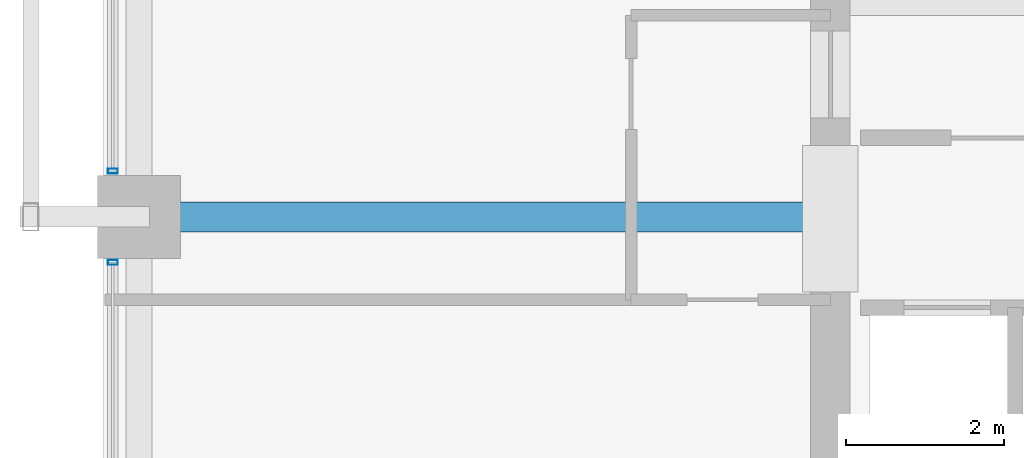
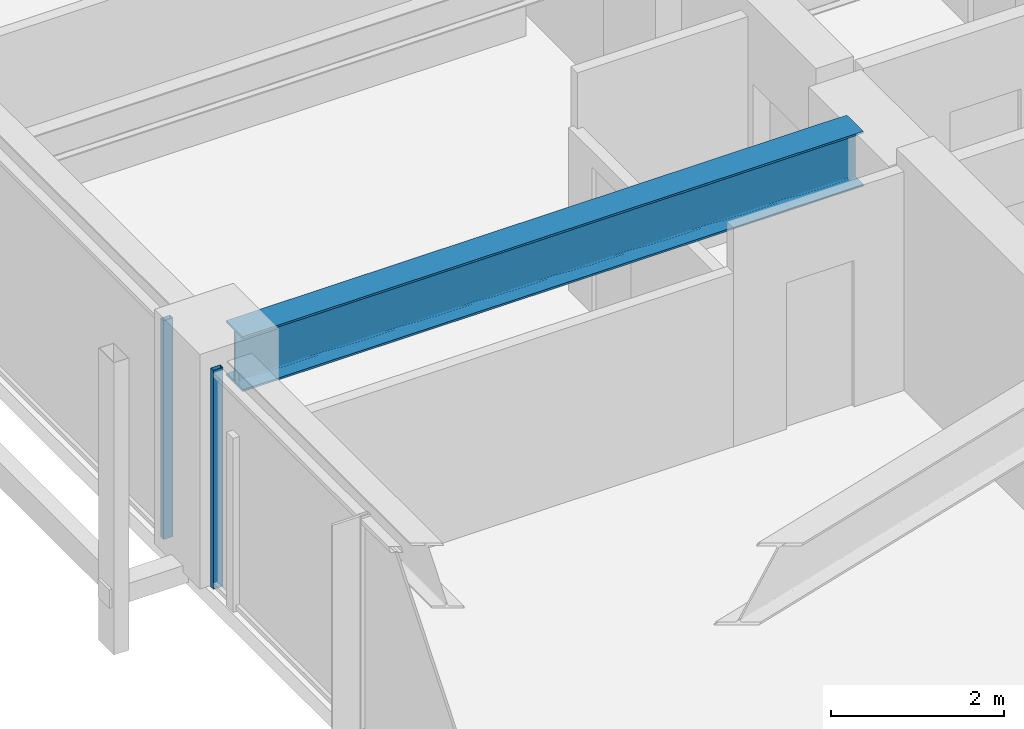
# One storey, part 8 of 34: 2 members, 1 beam, 2 elements without a shape of their own.
"""IFC4 building model written with IfcOpenShell, lengths in metres."""

from ifc_helpers import new_model, si_unit, direction, frame, origin, origin_2d, place, context, subcontext, project, spatial, hollow_rectangle, i_section, extrude, material, material_profile, profile_set, type_object, element, aggregate, save


model = new_model("IFC4")

# Units and contexts
model_context = context("Model", 3, precision=1e-05, world=origin(), true_north=direction((0.0, 1.0)))
body_context = subcontext(model_context, "Body", "Model", "MODEL_VIEW")
ifc_project = project(units=[si_unit("LENGTHUNIT", "METRE"), si_unit("AREAUNIT", "SQUARE_METRE"), si_unit("VOLUMEUNIT", "CUBIC_METRE"), si_unit("PLANEANGLEUNIT", "RADIAN"), si_unit("MASSUNIT", "GRAM", prefix="KILO")], contexts=[model_context])

# Site, building, storey
site_placement = place(None, origin())
site = spatial("IfcSite", under=ifc_project, at=site_placement, CompositionType="ELEMENT")
building_placement = place(site_placement, origin())
building = spatial("IfcBuilding", under=site, at=building_placement, Name="Kolvaren Belvedere", CompositionType="ELEMENT")
storey_placement = place(building_placement, frame((0.0, 0.0, 111.800048828125)))
storey = spatial("IfcBuildingStorey", under=building, at=storey_placement, Name="L32", CompositionType="ELEMENT", Elevation=111.800048828125)

# Beam
ifc_material_1 = material(Name="Structural steel ASTM A992 Grade 50", Category="steel")
ifc_material_profile_1 = material_profile(ifc_material_1, i_section(OverallWidth=0.381103515625, OverallDepth=0.77294921875, WebThickness=0.0166015625, FlangeThickness=0.027099609375, FilletRadius=0.02392578125, at=origin_2d()), Name="W30X173")
ifc_profile_set_1 = profile_set([ifc_material_profile_1], Name="Structural steel ASTM A992 Grade 50")
beam_type = type_object("IfcBeamType", Name="BM-GIRD-W30X173", PredefinedType="BEAM", material=ifc_profile_set_1)
beam_placement = place(storey_placement, frame((-10.14990234375, -4.60009765625, 2.693359375), z_axis=(-1.0, 0.0, 0.0), x_axis=(0.0, -1.0, 0.0)))
element("IfcBeam", 1, at=beam_placement, inside=storey, type_object=beam_type, Name="L32 West Radial Girder M", PredefinedType="BEAM", context=body_context, shape_type="SweptSolid", body=[
    extrude(i_section(OverallWidth=0.381103515625, OverallDepth=0.77294921875, WebThickness=0.0166015625, FlangeThickness=0.027099609375, FilletRadius=0.02392578125, at=origin_2d()), origin(), (0.0, 0.0, 1.0), 8.263916015625),
])

# Curtain wall, member
ifc_material_2 = material(Name="Anodised pale-metal aluminium AA 6063-T6", Category="aluminium")
curtain_wall_type = type_object("IfcCurtainWallType", Name="CW-Z3-WAIST", PredefinedType="NOTDEFINED", material=ifc_material_2)
curtain_wall_1_placement = place(storey_placement, origin())
curtain_wall_1 = element("IfcCurtainWall", 2, at=curtain_wall_1_placement, inside=storey, type_object=curtain_wall_type, Name="L32 Unitised Curtain Wall FCW-L32-W-B1", PredefinedType="NOTDEFINED")
ifc_material_3 = material(Name="Anodised pale-metal aluminium AA 6063-T6", Category="aluminium")
ifc_material_profile_2 = material_profile(ifc_material_3, hollow_rectangle(XDim=0.06494140625, YDim=0.1298828125, WallThickness=0.00390625, at=origin_2d()), Name="ALU-MUL-130X65")
ifc_profile_set_2 = profile_set([ifc_material_profile_2], Name="Anodised pale-metal aluminium AA 6063-T6")
member_type = type_object("IfcMemberType", Name="CW-MUL-130", PredefinedType="MULLION", material=ifc_profile_set_2)
member_1_placement = place(storey_placement, frame((-18.97998046875, -5.177490234375, 0.0), z_axis=(0.0, 0.0, 1.0), x_axis=(0.0, 1.0, 0.0)))
member_1 = element("IfcMember", 3, at=member_1_placement, type_object=member_type, Name="FCW-L32-W-B1 Unitised Mullion 3", PredefinedType="MULLION", context=body_context, shape_type="SweptSolid", body=[
    extrude(hollow_rectangle(XDim=0.06494140625, YDim=0.1298828125, WallThickness=0.00390625, at=origin_2d()), origin(), (0.0, 0.0, 1.0), 3.079833984375),
])
aggregate(curtain_wall_1, [member_1])

curtain_wall_2_placement = place(storey_placement, origin())
curtain_wall_2 = element("IfcCurtainWall", 4, at=curtain_wall_2_placement, inside=storey, type_object=curtain_wall_type, Name="L32 Unitised Curtain Wall FCW-L32-W-B2", PredefinedType="NOTDEFINED")
member_2_placement = place(storey_placement, frame((-18.97998046875, -4.0224609375, 0.0), z_axis=(0.0, 0.0, 1.0), x_axis=(0.0, 1.0, 0.0)))
member_2 = element("IfcMember", 5, at=member_2_placement, type_object=member_type, Name="FCW-L32-W-B2 Unitised Mullion 1", PredefinedType="MULLION", context=body_context, shape_type="SweptSolid", body=[
    extrude(hollow_rectangle(XDim=0.06494140625, YDim=0.1298828125, WallThickness=0.00390625, at=origin_2d()), origin(), (0.0, 0.0, 1.0), 3.079833984375),
])
aggregate(curtain_wall_2, [member_2])

save(model, "model.ifc")
